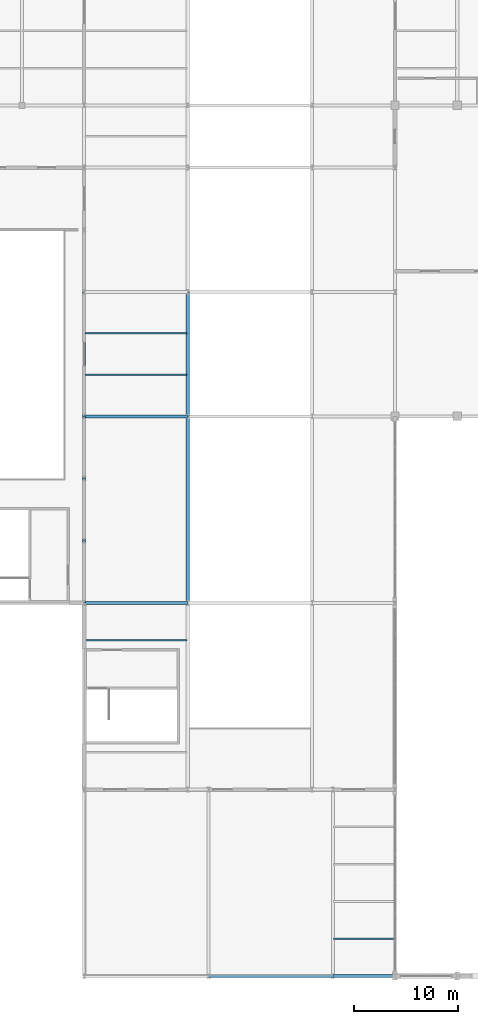
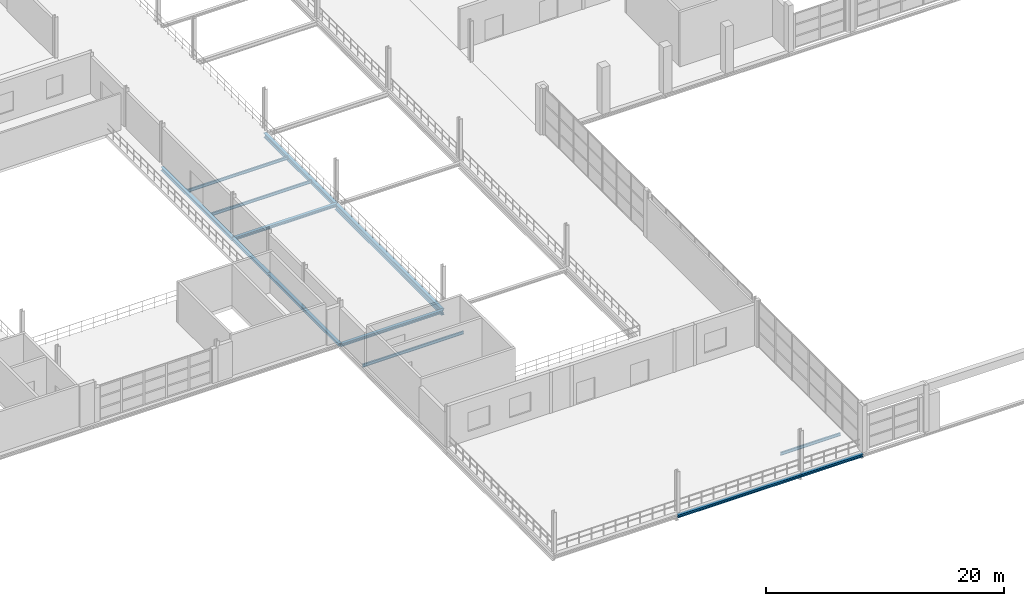
# One storey, part 37 of 147: 14 beams.
"""IFC4 building model written with IfcOpenShell, lengths in metres."""

from ifc_helpers import new_model, si_unit, direction, frame, origin, origin_2d, place, context, subcontext, project, spatial, i_section, extrude, material, material_profile, profile_set, type_object, element, save


model = new_model("IFC4")

# Units and contexts
model_context = context("Model", 3, precision=1e-05, world=origin(), true_north=direction((0.0, 1.0)))
body_context = subcontext(model_context, "Body", "Model", "MODEL_VIEW")
ifc_project = project(units=[si_unit("LENGTHUNIT", "METRE"), si_unit("AREAUNIT", "SQUARE_METRE"), si_unit("VOLUMEUNIT", "CUBIC_METRE"), si_unit("PLANEANGLEUNIT", "RADIAN"), si_unit("MASSUNIT", "GRAM", prefix="KILO")], contexts=[model_context])

# Site, building, storey
site_placement = place(None, origin())
site = spatial("IfcSite", under=ifc_project, at=site_placement, CompositionType="ELEMENT")
building_placement = place(site_placement, origin())
building = spatial("IfcBuilding", under=site, at=building_placement, Name="Zilviju Railside Exhibition Hall", CompositionType="ELEMENT")
storey_placement = place(building_placement, frame((0.0, 0.0, 8.39990234375)))
storey = spatial("IfcBuildingStorey", under=building, at=storey_placement, Name="L03", CompositionType="ELEMENT", Elevation=8.39990234375)

# Beams
ifc_material = material(Name="Steel S355J2", Category="steel")
ifc_material_profile_1 = material_profile(ifc_material, i_section(OverallWidth=0.300048828125, OverallDepth=0.2900390625, WebThickness=0.008544921875, FlangeThickness=0.013916015625, at=origin_2d()), Name="HEA 300")
ifc_profile_set_1 = profile_set([ifc_material_profile_1], Name="Steel S355J2")
beam_type_1 = type_object("IfcBeamType", Name="BM-HEA300", PredefinedType="SPANDREL", material=ifc_profile_set_1)
beam_1_placement = place(storey_placement, frame((60.0, 0.0, -0.46484375), z_axis=(1.0, 0.0, 0.0), x_axis=(0.0, 1.0, 0.0)))
element("IfcBeam", 1, at=beam_1_placement, inside=storey, type_object=beam_type_1, Name="Primary Girder L03 Y=0.0 (60.0..72.0)", PredefinedType="SPANDREL", context=body_context, shape_type="SweptSolid", body=[
    extrude(i_section(OverallWidth=0.300048828125, OverallDepth=0.2900390625, WebThickness=0.008544921875, FlangeThickness=0.013916015625, at=origin_2d()), origin(), (0.0, 0.0, 1.0), 12.0),
])
beam_2_placement = place(storey_placement, frame((72.0, 0.0, -0.46484375), z_axis=(1.0, 0.0, 0.0), x_axis=(0.0, 1.0, 0.0)))
element("IfcBeam", 2, at=beam_2_placement, inside=storey, type_object=beam_type_1, Name="Primary Girder L03 Y=0.0 (72.0..78.0)", PredefinedType="SPANDREL", context=body_context, shape_type="SweptSolid", body=[
    extrude(i_section(OverallWidth=0.300048828125, OverallDepth=0.2900390625, WebThickness=0.008544921875, FlangeThickness=0.013916015625, at=origin_2d()), origin(), (0.0, 0.0, 1.0), 6.0),
])
for number, where, z_axis, x_axis, name in (
    (3, (48.0, 36.0, -0.494873046875), (1.0, 0.0, 0.0), (0.0, 1.0, 0.0), "Primary Girder L03 Y=36.0 (48.0..58.0)"),
    (4, (48.0, 54.0, -0.494873046875), (1.0, 0.0, 0.0), (0.0, 1.0, 0.0), "Primary Girder L03 Y=54.0 (48.0..58.0)"),
):
    element("IfcBeam", number, at=place(storey_placement, frame(where, z_axis=z_axis, x_axis=x_axis)), inside=storey, type_object=beam_type_1, Name=name, PredefinedType="SPANDREL", context=body_context, shape_type="SweptSolid", body=[
        extrude(i_section(OverallWidth=0.300048828125, OverallDepth=0.2900390625, WebThickness=0.008544921875, FlangeThickness=0.013916015625, at=origin_2d()), origin(), (0.0, 0.0, 1.0), 10.0),
    ])
for number, where, z_axis, x_axis, name in (
    (5, (48.0, 36.0, -0.494873046875), (0.0, 1.0, 0.0), (-1.0, 0.0, 0.0), "Transverse Girder L03 X=48.0 (36.0..42.0)"),
    (6, (48.0, 42.0, -0.494873046875), (0.0, 1.0, 0.0), (-1.0, 0.0, 0.0), "Transverse Girder L03 X=48.0 (42.0..48.0)"),
    (7, (48.0, 48.0, -0.494873046875), (0.0, 1.0, 0.0), (-1.0, 0.0, 0.0), "Transverse Girder L03 X=48.0 (48.0..54.0)"),
):
    element("IfcBeam", number, at=place(storey_placement, frame(where, z_axis=z_axis, x_axis=x_axis)), inside=storey, type_object=beam_type_1, Name=name, PredefinedType="SPANDREL", context=body_context, shape_type="SweptSolid", body=[
        extrude(i_section(OverallWidth=0.300048828125, OverallDepth=0.2900390625, WebThickness=0.008544921875, FlangeThickness=0.013916015625, at=origin_2d()), origin(), (0.0, 0.0, 1.0), 6.0),
    ])
ifc_material_profile_2 = material_profile(ifc_material, i_section(OverallWidth=0.300048828125, OverallDepth=0.35009765625, WebThickness=0.010009765625, FlangeThickness=0.017578125, at=origin_2d()), Name="HEA 360")
ifc_profile_set_2 = profile_set([ifc_material_profile_2], Name="Steel S355J2")
beam_type_2 = type_object("IfcBeamType", Name="BM-HEA360", PredefinedType="BEAM", material=ifc_profile_set_2)
beam_3_placement = place(storey_placement, frame((48.0, 54.0, -0.52490234375), z_axis=(0.0, 1.0, 0.0), x_axis=(-1.0, 0.0, 0.0)))
element("IfcBeam", 8, at=beam_3_placement, inside=storey, type_object=beam_type_2, Name="Transverse Girder L03 X=48.0 (54.0..66.0)", PredefinedType="BEAM", context=body_context, shape_type="SweptSolid", body=[
    extrude(i_section(OverallWidth=0.300048828125, OverallDepth=0.35009765625, WebThickness=0.010009765625, FlangeThickness=0.017578125, at=origin_2d()), origin(), (0.0, 0.0, 1.0), 12.0),
])
ifc_material_profile_3 = material_profile(ifc_material, i_section(OverallWidth=0.300048828125, OverallDepth=0.449951171875, WebThickness=0.013916015625, FlangeThickness=0.02587890625, at=origin_2d()), Name="HEB 450")
ifc_profile_set_3 = profile_set([ifc_material_profile_3], Name="Steel S355J2")
beam_type_3 = type_object("IfcBeamType", Name="BM-HEB450", PredefinedType="BEAM", material=ifc_profile_set_3)
beam_4_placement = place(storey_placement, frame((58.0, 54.0, -0.574951171875), z_axis=(0.0, 1.0, 0.0), x_axis=(-1.0, 0.0, 0.0)))
element("IfcBeam", 9, at=beam_4_placement, inside=storey, type_object=beam_type_3, Name="Transverse Girder L03 X=58.0 (54.0..66.0)", PredefinedType="BEAM", context=body_context, shape_type="SweptSolid", body=[
    extrude(i_section(OverallWidth=0.300048828125, OverallDepth=0.449951171875, WebThickness=0.013916015625, FlangeThickness=0.02587890625, at=origin_2d()), origin(), (0.0, 0.0, 1.0), 12.0),
])
ifc_material_profile_4 = material_profile(ifc_material, i_section(OverallWidth=0.300048828125, OverallDepth=0.60009765625, WebThickness=0.015380859375, FlangeThickness=0.030029296875, at=origin_2d()), Name="HEB 600")
ifc_profile_set_4 = profile_set([ifc_material_profile_4], Name="Steel S355J2")
beam_type_4 = type_object("IfcBeamType", Name="BM-HEB600", PredefinedType="BEAM", material=ifc_profile_set_4)
beam_5_placement = place(storey_placement, frame((58.0, 36.0, -0.64990234375), z_axis=(0.0, 1.0, 0.0), x_axis=(-1.0, 0.0, 0.0)))
element("IfcBeam", 10, at=beam_5_placement, inside=storey, type_object=beam_type_4, Name="Transverse Girder L03 X=58.0 (36.0..54.0)", PredefinedType="BEAM", context=body_context, shape_type="SweptSolid", body=[
    extrude(i_section(OverallWidth=0.300048828125, OverallDepth=0.60009765625, WebThickness=0.015380859375, FlangeThickness=0.030029296875, at=origin_2d()), origin(), (0.0, 0.0, 1.0), 18.0),
])
ifc_material_profile_5 = material_profile(ifc_material, i_section(OverallWidth=0.14990234375, OverallDepth=0.300048828125, WebThickness=0.007080078125, FlangeThickness=0.0107421875, at=origin_2d()), Name="IPE 300")
ifc_profile_set_5 = profile_set([ifc_material_profile_5], Name="Steel S355J2")
beam_type_5 = type_object("IfcBeamType", Name="BM-IPE300", PredefinedType="JOIST", material=ifc_profile_set_5)
for number, where, z_axis, x_axis, name in (
    (11, (48.080078125, 32.39990234375, -0.5), (1.0, 0.0, 0.0), (0.0, 1.0, 0.0), "Composite Floor Joist L03 Y=32.40 (48.0..58.0)"),
    (12, (48.080078125, 58.0, -0.5), (1.0, 0.0, 0.0), (0.0, 1.0, 0.0), "Composite Floor Joist L03 Y=58.00 (48.0..58.0)"),
    (13, (48.080078125, 62.0, -0.5), (1.0, 0.0, 0.0), (0.0, 1.0, 0.0), "Composite Floor Joist L03 Y=62.00 (48.0..58.0)"),
):
    element("IfcBeam", number, at=place(storey_placement, frame(where, z_axis=z_axis, x_axis=x_axis)), inside=storey, type_object=beam_type_5, Name=name, PredefinedType="JOIST", context=body_context, shape_type="SweptSolid", body=[
        extrude(i_section(OverallWidth=0.14990234375, OverallDepth=0.300048828125, WebThickness=0.007080078125, FlangeThickness=0.0107421875, at=origin_2d()), origin(), (0.0, 0.0, 1.0), 9.83984375),
    ])
beam_6_placement = place(storey_placement, frame((72.080078125, 3.60009765625, -0.5), z_axis=(1.0, 0.0, 0.0), x_axis=(0.0, 1.0, 0.0)))
element("IfcBeam", 14, at=beam_6_placement, inside=storey, type_object=beam_type_5, Name="Composite Floor Joist L03 Y=3.60 (72.0..78.0)", PredefinedType="JOIST", context=body_context, shape_type="SweptSolid", body=[
    extrude(i_section(OverallWidth=0.14990234375, OverallDepth=0.300048828125, WebThickness=0.007080078125, FlangeThickness=0.0107421875, at=origin_2d()), origin(), (0.0, 0.0, 1.0), 5.83984375),
])

save(model, "model.ifc")
